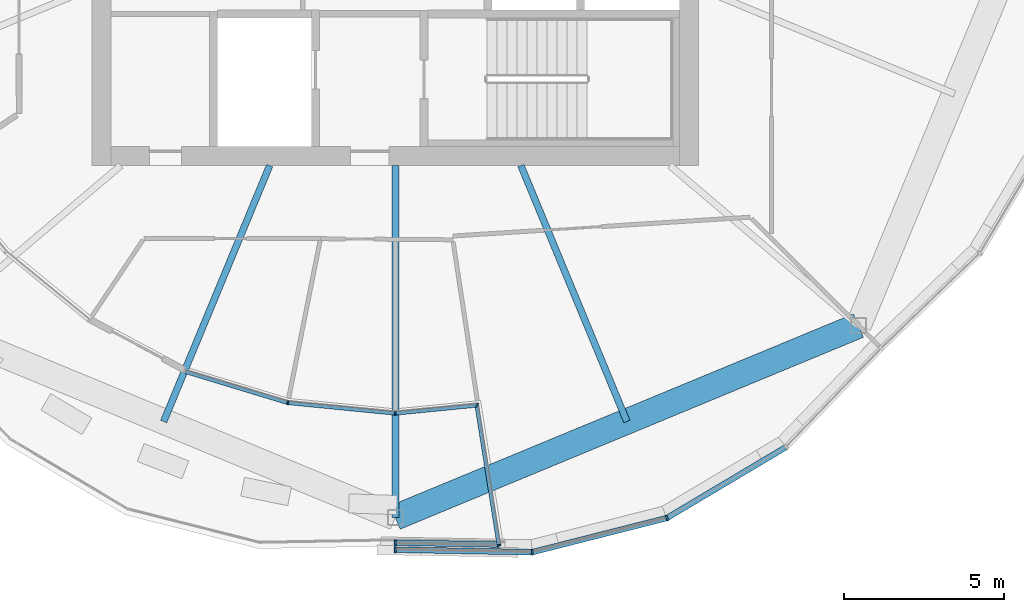
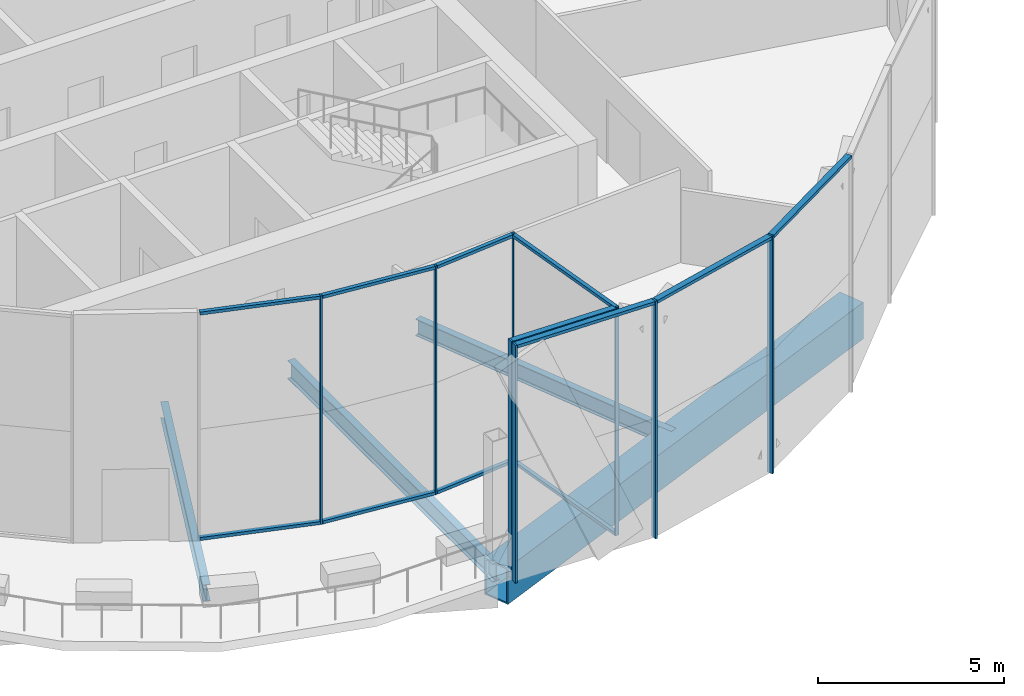
# One storey, part 5 of 27: 20 members, 4 beams, 4 elements without a shape of their own.
"""IFC4 building model written with IfcOpenShell, lengths in metres."""

from ifc_helpers import new_model, si_unit, direction, frame, origin, origin_2d, place, context, subcontext, project, spatial, rectangle, hollow_rectangle, i_section, extrude, material, material_profile, profile_set, type_object, element, aggregate, save


model = new_model("IFC4")

# Units and contexts
model_context = context("Model", 3, precision=1e-05, world=origin(), true_north=direction((0.0, 1.0)))
body_context = subcontext(model_context, "Body", "Model", "MODEL_VIEW")
ifc_project = project(units=[si_unit("LENGTHUNIT", "METRE"), si_unit("AREAUNIT", "SQUARE_METRE"), si_unit("VOLUMEUNIT", "CUBIC_METRE"), si_unit("PLANEANGLEUNIT", "RADIAN"), si_unit("MASSUNIT", "GRAM", prefix="KILO")], contexts=[model_context])

# Site, building, storey
site_placement = place(None, origin())
site = spatial("IfcSite", under=ifc_project, at=site_placement, CompositionType="ELEMENT")
building_placement = place(site_placement, origin())
building = spatial("IfcBuilding", under=site, at=building_placement, Name="Ogive Gate Towers", CompositionType="ELEMENT")
storey_placement = place(building_placement, frame((0.0, 0.0, 189.0)))
storey = spatial("IfcBuildingStorey", under=building, at=storey_placement, Name="L45", CompositionType="ELEMENT", Elevation=189.0)

# Beams
ifc_material_1 = material(Name="Steel SM460", Category="steel")
ifc_material_profile_1 = material_profile(ifc_material_1, hollow_rectangle(XDim=0.800048828125, YDim=1.199951171875, WallThickness=0.050048828125, at=origin_2d()), Name="BX 1200x800x50")
ifc_profile_set_1 = profile_set([ifc_material_profile_1], Name="Steel SM460")
beam_type_1 = type_object("IfcBeamType", Name="Edge girder BX 1200x800x50", PredefinedType="BEAM", material=ifc_profile_set_1)
beam_1_placement = place(storey_placement, frame((-36.0, -20.52001953125, -0.89990234375), z_axis=(0.923877006731, 0.38268953008, 0.0), x_axis=(-0.38268953008, 0.923877006731, 0.0)))
element("IfcBeam", 1, at=beam_1_placement, inside=storey, type_object=beam_type_1, Name="T1/L45/SBM018", PredefinedType="BEAM", context=body_context, shape_type="SweptSolid", body=[
    extrude(hollow_rectangle(XDim=0.800048828125, YDim=1.199951171875, WallThickness=0.050048828125, at=origin_2d()), origin(), (0.0, 0.0, 1.0), 15.705322265625),
])
ifc_material_2 = material(Name="Steel SM355", Category="steel")
ifc_material_profile_2 = material_profile(ifc_material_2, i_section(OverallWidth=0.2099609375, OverallDepth=0.550048828125, WebThickness=0.010986328125, FlangeThickness=0.01708984375, FilletRadius=0.02392578125, at=origin_2d()), Name="IPE 550")
ifc_profile_set_2 = profile_set([ifc_material_profile_2], Name="Steel SM355")
beam_type_2 = type_object("IfcBeamType", Name="Radial floor beam IPE 550", PredefinedType="BEAM", material=ifc_profile_set_2)
for number, where, z_axis, x_axis, name in (
    (2, (-39.93505859375, -9.5, -0.574951171875), (-0.382678218882, -0.92388169199, 0.0), (0.92388169199, -0.382678218882, 0.0), "T1/L45/SBM002"),
    (3, (-32.06494140625, -9.5, -0.574951171875), (0.382678218882, -0.92388169199, 0.0), (0.92388169199, 0.382678218882, 0.0), "T1/L45/SBM004"),
):
    element("IfcBeam", number, at=place(storey_placement, frame(where, z_axis=z_axis, x_axis=x_axis)), inside=storey, type_object=beam_type_2, Name=name, PredefinedType="BEAM", context=body_context, shape_type="SweptSolid", body=[
        extrude(i_section(OverallWidth=0.2099609375, OverallDepth=0.550048828125, WebThickness=0.010986328125, FlangeThickness=0.01708984375, FilletRadius=0.02392578125, at=origin_2d()), origin(), (0.0, 0.0, 1.0), 8.67529296875),
    ])
ifc_material_profile_3 = material_profile(ifc_material_2, i_section(OverallWidth=0.219970703125, OverallDepth=0.60009765625, WebThickness=0.011962890625, FlangeThickness=0.01904296875, FilletRadius=0.02392578125, at=origin_2d()), Name="IPE 600")
ifc_profile_set_3 = profile_set([ifc_material_profile_3], Name="Steel SM355")
beam_type_3 = type_object("IfcBeamType", Name="Radial floor beam IPE 600", PredefinedType="BEAM", material=ifc_profile_set_3)
beam_2_placement = place(storey_placement, frame((-36.0, -9.5, -0.60009765625), z_axis=(0.0, -1.0, 0.0), x_axis=(1.0, 0.0, 0.0)))
element("IfcBeam", 4, at=beam_2_placement, inside=storey, type_object=beam_type_3, Name="T1/L45/SBM003", PredefinedType="BEAM", context=body_context, shape_type="SweptSolid", body=[
    extrude(i_section(OverallWidth=0.219970703125, OverallDepth=0.60009765625, WebThickness=0.011962890625, FlangeThickness=0.01904296875, FilletRadius=0.02392578125, at=origin_2d()), origin(), (0.0, 0.0, 1.0), 11.02001953125),
])

# Curtain wall, members
ifc_material_3 = material(Name="Pale metal aluminium", Category="aluminium")
curtain_wall_type_1 = type_object("IfcCurtainWallType", Name="Sky garden glazing", PredefinedType="NOTDEFINED", material=ifc_material_3)
curtain_wall_1_placement = place(storey_placement, origin())
curtain_wall_1 = element("IfcCurtainWall", 5, at=curtain_wall_1_placement, inside=storey, type_object=curtain_wall_type_1, Name="CW4 T1 ECW02", PredefinedType="NOTDEFINED")
ifc_material_profile_4 = material_profile(ifc_material_3, rectangle(XDim=0.1201171875, YDim=0.050048828125, at=origin_2d()), Name="50 x 120 aluminium box")
ifc_profile_set_4 = profile_set([ifc_material_profile_4], Name="Pale metal aluminium")
member_type_1 = type_object("IfcMemberType", Name="Sky garden glazing mullion 50 x 120", PredefinedType="MULLION", material=ifc_profile_set_4)
member_1_placement = place(storey_placement, frame((-36.00390625, -17.26025390625, 0.0), z_axis=(0.0, 0.0, 1.0), x_axis=(0.09801714033, 0.995184726672, 0.0)))
member_1 = element("IfcMember", 6, at=member_1_placement, type_object=member_type_1, Name="CW4 mullion", PredefinedType="MULLION", context=body_context, shape_type="SweptSolid", body=[
    extrude(rectangle(XDim=0.1201171875, YDim=0.050048828125, at=origin_2d()), origin(), (0.0, 0.0, 1.0), 7.5),
])
member_2_placement = place(storey_placement, frame((-39.3671875, -16.9287109375, 0.0), z_axis=(0.0, 0.0, 1.0), x_axis=(0.195090322016, 0.980785280403, 0.0)))
member_2 = element("IfcMember", 7, at=member_2_placement, type_object=member_type_1, Name="CW4 mullion", PredefinedType="MULLION", context=body_context, shape_type="SweptSolid", body=[
    extrude(rectangle(XDim=0.1201171875, YDim=0.050048828125, at=origin_2d()), origin(), (0.0, 0.0, 1.0), 7.5),
])

curtain_wall_2_placement = place(storey_placement, origin())
curtain_wall_2 = element("IfcCurtainWall", 8, at=curtain_wall_2_placement, inside=storey, type_object=curtain_wall_type_1, Name="CW4 T1 ECW03", PredefinedType="NOTDEFINED")
member_3_placement = place(storey_placement, frame((-32.75439453125, -21.38671875, 0.0), z_axis=(0.0, 0.0, 1.0), x_axis=(0.987688340595, 0.15643446504, 0.0)))
member_3 = element("IfcMember", 9, at=member_3_placement, type_object=member_type_1, Name="CW4 mullion", PredefinedType="MULLION", context=body_context, shape_type="SweptSolid", body=[
    extrude(rectangle(XDim=0.1201171875, YDim=0.050048828125, at=origin_2d()), origin(), (0.0, 0.0, 1.0), 7.5),
])
member_4_placement = place(storey_placement, frame((-33.438720703125, -16.99755859375, 0.0), z_axis=(0.0, 0.0, 1.0), x_axis=(0.611361313306, 0.791351593537, 0.0)))
member_4 = element("IfcMember", 10, at=member_4_placement, type_object=member_type_1, Name="CW4 mullion", PredefinedType="MULLION", context=body_context, shape_type="SweptSolid", body=[
    extrude(rectangle(XDim=0.1201171875, YDim=0.050048828125, at=origin_2d()), origin(), (0.0, 0.0, 1.0), 7.5),
])

# Member
ifc_material_profile_5 = material_profile(ifc_material_3, rectangle(XDim=0.1201171875, YDim=0.10009765625, at=origin_2d()), Name="100 x 120 aluminium box")
ifc_profile_set_5 = profile_set([ifc_material_profile_5], Name="Pale metal aluminium")
member_type_2 = type_object("IfcMemberType", Name="Sky garden glazing transom 100 x 120", PredefinedType="USERDEFINED", material=ifc_profile_set_5)
member_5_placement = place(storey_placement, frame((-36.02880859375, -17.2578125, 7.449951171875), z_axis=(-0.995185796935, 0.098006273156, 0.0), x_axis=(-0.098006273156, -0.995185796935, 0.0)))
member_5 = element("IfcMember", 11, at=member_5_placement, type_object=member_type_2, Name="CW4 transom", ObjectType="TRANSOM", PredefinedType="USERDEFINED", context=body_context, shape_type="SweptSolid", body=[
    extrude(rectangle(XDim=0.1201171875, YDim=0.10009765625, at=origin_2d()), origin(), (0.0, 0.0, 1.0), 3.32568359375),
])

member_6_placement = place(storey_placement, frame((-36.02880859375, -17.2578125, 0.050048828125), z_axis=(-0.995185796935, 0.098006273156, 0.0), x_axis=(-0.098006273156, -0.995185796935, 0.0)))
member_6 = element("IfcMember", 12, at=member_6_placement, type_object=member_type_2, Name="CW4 transom", ObjectType="TRANSOM", PredefinedType="USERDEFINED", context=body_context, shape_type="SweptSolid", body=[
    extrude(rectangle(XDim=0.1201171875, YDim=0.10009765625, at=origin_2d()), origin(), (0.0, 0.0, 1.0), 3.32568359375),
])

member_7_placement = place(storey_placement, frame((-39.39501953125, -16.920654296875, 7.449951171875), z_axis=(-0.956928658257, 0.290323169945, 0.0), x_axis=(-0.290323169945, -0.956928658257, 0.0)))
member_7 = element("IfcMember", 13, at=member_7_placement, type_object=member_type_2, Name="CW4 transom", ObjectType="TRANSOM", PredefinedType="USERDEFINED", context=body_context, shape_type="SweptSolid", body=[
    extrude(rectangle(XDim=0.1201171875, YDim=0.10009765625, at=origin_2d()), origin(), (0.0, 0.0, 1.0), 3.325927734375),
])

member_8_placement = place(storey_placement, frame((-39.39501953125, -16.920654296875, 0.050048828125), z_axis=(-0.956928658257, 0.290323169945, 0.0), x_axis=(-0.290323169945, -0.956928658257, 0.0)))
member_8 = element("IfcMember", 14, at=member_8_placement, type_object=member_type_2, Name="CW4 transom", ObjectType="TRANSOM", PredefinedType="USERDEFINED", context=body_context, shape_type="SweptSolid", body=[
    extrude(rectangle(XDim=0.1201171875, YDim=0.10009765625, at=origin_2d()), origin(), (0.0, 0.0, 1.0), 3.325927734375),
])

aggregate(curtain_wall_1, [member_1, member_2, member_5, member_6, member_7, member_8])

member_9_placement = place(storey_placement, frame((-32.75830078125, -21.362060546875, 7.449951171875), z_axis=(-0.156430575754, 0.98768895659, 0.0), x_axis=(-0.98768895659, -0.156430575754, 0.0)))
member_9 = element("IfcMember", 15, at=member_9_placement, type_object=member_type_2, Name="CW4 transom", ObjectType="TRANSOM", PredefinedType="USERDEFINED", context=body_context, shape_type="SweptSolid", body=[
    extrude(rectangle(XDim=0.1201171875, YDim=0.10009765625, at=origin_2d()), origin(), (0.0, 0.0, 1.0), 4.419921875),
])

member_10_placement = place(storey_placement, frame((-32.75830078125, -21.362060546875, 0.050048828125), z_axis=(-0.156430575754, 0.98768895659, 0.0), x_axis=(-0.98768895659, -0.156430575754, 0.0)))
member_10 = element("IfcMember", 16, at=member_10_placement, type_object=member_type_2, Name="CW4 transom", ObjectType="TRANSOM", PredefinedType="USERDEFINED", context=body_context, shape_type="SweptSolid", body=[
    extrude(rectangle(XDim=0.1201171875, YDim=0.10009765625, at=origin_2d()), origin(), (0.0, 0.0, 1.0), 4.419921875),
])

member_11_placement = place(storey_placement, frame((-33.43505859375, -17.008056640625, 7.449951171875), z_axis=(-0.995185929277, -0.098004929308, 0.0), x_axis=(0.098004929308, -0.995185929277, 0.0)))
member_11 = element("IfcMember", 17, at=member_11_placement, type_object=member_type_2, Name="CW4 transom", ObjectType="TRANSOM", PredefinedType="USERDEFINED", context=body_context, shape_type="SweptSolid", body=[
    extrude(rectangle(XDim=0.1201171875, YDim=0.10009765625, at=origin_2d()), origin(), (0.0, 0.0, 1.0), 2.54833984375),
])

member_12_placement = place(storey_placement, frame((-33.43505859375, -17.008056640625, 0.050048828125), z_axis=(-0.995185929277, -0.098004929308, 0.0), x_axis=(0.098004929308, -0.995185929277, 0.0)))
member_12 = element("IfcMember", 18, at=member_12_placement, type_object=member_type_2, Name="CW4 transom", ObjectType="TRANSOM", PredefinedType="USERDEFINED", context=body_context, shape_type="SweptSolid", body=[
    extrude(rectangle(XDim=0.1201171875, YDim=0.10009765625, at=origin_2d()), origin(), (0.0, 0.0, 1.0), 2.54833984375),
])

aggregate(curtain_wall_2, [member_3, member_4, member_9, member_10, member_11, member_12])

# Curtain wall, members
curtain_wall_type_2 = type_object("IfcCurtainWallType", Name="Tower unitised wall, high zone", PredefinedType="NOTDEFINED", material=ifc_material_3)
curtain_wall_3_placement = place(storey_placement, origin())
curtain_wall_3 = element("IfcCurtainWall", 19, at=curtain_wall_3_placement, inside=storey, type_object=curtain_wall_type_2, Name="CW2 T1 ECW09", PredefinedType="NOTDEFINED")
ifc_material_profile_6 = material_profile(ifc_material_3, rectangle(XDim=0.179931640625, YDim=0.06005859375, at=origin_2d()), Name="60 x 180 aluminium box")
ifc_profile_set_6 = profile_set([ifc_material_profile_6], Name="Pale metal aluminium")
member_type_3 = type_object("IfcMemberType", Name="Tower unitised wall, high zone mullion 60 x 180", PredefinedType="MULLION", material=ifc_profile_set_6)
member_13_placement = place(storey_placement, frame((-27.49267578125, -20.538818359375, -0.300048828125), z_axis=(0.0, 0.0, 1.0), x_axis=(-0.382683432365, 0.923879532511, 0.0)))
member_13 = element("IfcMember", 20, at=member_13_placement, type_object=member_type_3, Name="CW2 mullion", PredefinedType="MULLION", context=body_context, shape_type="SweptSolid", body=[
    extrude(rectangle(XDim=0.179931640625, YDim=0.06005859375, at=origin_2d()), origin(), (0.0, 0.0, 1.0), 7.800048828125),
])
member_14_placement = place(storey_placement, frame((-31.7109375, -21.60888671875, -0.300048828125), z_axis=(0.0, 0.0, 1.0), x_axis=(-0.114763772489, 0.993392810787, 0.0)))
member_14 = element("IfcMember", 21, at=member_14_placement, type_object=member_type_3, Name="CW2 mullion", PredefinedType="MULLION", context=body_context, shape_type="SweptSolid", body=[
    extrude(rectangle(XDim=0.179931640625, YDim=0.06005859375, at=origin_2d()), origin(), (0.0, 0.0, 1.0), 7.800048828125),
])
member_15_placement = place(storey_placement, frame((-36.001953125, -21.530029296875, -0.300048828125), z_axis=(0.0, 0.0, 1.0), x_axis=(0.018412183135, 0.999830481388, 0.0)))
member_15 = element("IfcMember", 22, at=member_15_placement, type_object=member_type_3, Name="CW2 mullion", PredefinedType="MULLION", context=body_context, shape_type="SweptSolid", body=[
    extrude(rectangle(XDim=0.179931640625, YDim=0.06005859375, at=origin_2d()), origin(), (0.0, 0.0, 1.0), 7.800048828125),
])

# Curtain wall, member
curtain_wall_4_placement = place(storey_placement, origin())
curtain_wall_4 = element("IfcCurtainWall", 23, at=curtain_wall_4_placement, inside=storey, type_object=curtain_wall_type_2, Name="CW2 T1 ECW09b", PredefinedType="NOTDEFINED")
member_16_placement = place(storey_placement, frame((-35.998046875, -21.31005859375, -0.300048828125), z_axis=(0.0, 0.0, 1.0), x_axis=(-0.018429633466, -0.999830159882, 0.0)))
member_16 = element("IfcMember", 24, at=member_16_placement, type_object=member_type_3, Name="CW2 mullion", PredefinedType="MULLION", context=body_context, shape_type="SweptSolid", body=[
    extrude(rectangle(XDim=0.179931640625, YDim=0.06005859375, at=origin_2d()), origin(), (0.0, 0.0, 1.0), 7.800048828125),
])

# Member
ifc_material_profile_7 = material_profile(ifc_material_3, rectangle(XDim=0.179931640625, YDim=0.10009765625, at=origin_2d()), Name="100 x 180 aluminium box")
ifc_profile_set_7 = profile_set([ifc_material_profile_7], Name="Pale metal aluminium")
member_type_4 = type_object("IfcMemberType", Name="Tower unitised wall, high zone transom 100 x 180", PredefinedType="USERDEFINED", material=ifc_profile_set_7)
member_17_placement = place(storey_placement, frame((-23.77978515625, -18.328857421875, 7.449951171875), z_axis=(-0.859300627533, -0.511470851097, 0.0), x_axis=(0.511470851097, -0.859300627533, 0.0)))
member_17 = element("IfcMember", 25, at=member_17_placement, type_object=member_type_4, Name="CW2 transom", ObjectType="TRANSOM", PredefinedType="USERDEFINED", context=body_context, shape_type="SweptSolid", body=[
    extrude(rectangle(XDim=0.179931640625, YDim=0.10009765625, at=origin_2d()), origin(), (0.0, 0.0, 1.0), 4.289306640625),
])

member_18_placement = place(storey_placement, frame((-27.52294921875, -20.546630859375, 7.449951171875), z_axis=(-0.969296263993, -0.245895816575, 0.0), x_axis=(0.245895816575, -0.969296263993, 0.0)))
member_18 = element("IfcMember", 26, at=member_18_placement, type_object=member_type_4, Name="CW2 transom", ObjectType="TRANSOM", PredefinedType="USERDEFINED", context=body_context, shape_type="SweptSolid", body=[
    extrude(rectangle(XDim=0.179931640625, YDim=0.10009765625, at=origin_2d()), origin(), (0.0, 0.0, 1.0), 4.2890625),
])

member_19_placement = place(storey_placement, frame((-31.7421875, -21.6083984375, 7.449951171875), z_axis=(-0.999830529359, 0.018409578001, 0.0), x_axis=(-0.018409578001, -0.999830529359, 0.0)))
member_19 = element("IfcMember", 27, at=member_19_placement, type_object=member_type_4, Name="CW2 transom", ObjectType="TRANSOM", PredefinedType="USERDEFINED", context=body_context, shape_type="SweptSolid", body=[
    extrude(rectangle(XDim=0.179931640625, YDim=0.10009765625, at=origin_2d()), origin(), (0.0, 0.0, 1.0), 4.23046875),
])

aggregate(curtain_wall_3, [member_13, member_17, member_14, member_18, member_15, member_19])

member_20_placement = place(storey_placement, frame((-35.968017578125, -21.310546875, 7.449951171875), z_axis=(0.999830672699, -0.018401791522, 0.0), x_axis=(0.018401791522, 0.999830672699, 0.0)))
member_20 = element("IfcMember", 28, at=member_20_placement, type_object=member_type_4, Name="CW2 transom", ObjectType="TRANSOM", PredefinedType="USERDEFINED", context=body_context, shape_type="SweptSolid", body=[
    extrude(rectangle(XDim=0.179931640625, YDim=0.10009765625, at=origin_2d()), origin(), (0.0, 0.0, 1.0), 3.223876953125),
])

aggregate(curtain_wall_4, [member_16, member_20])

save(model, "model.ifc")
